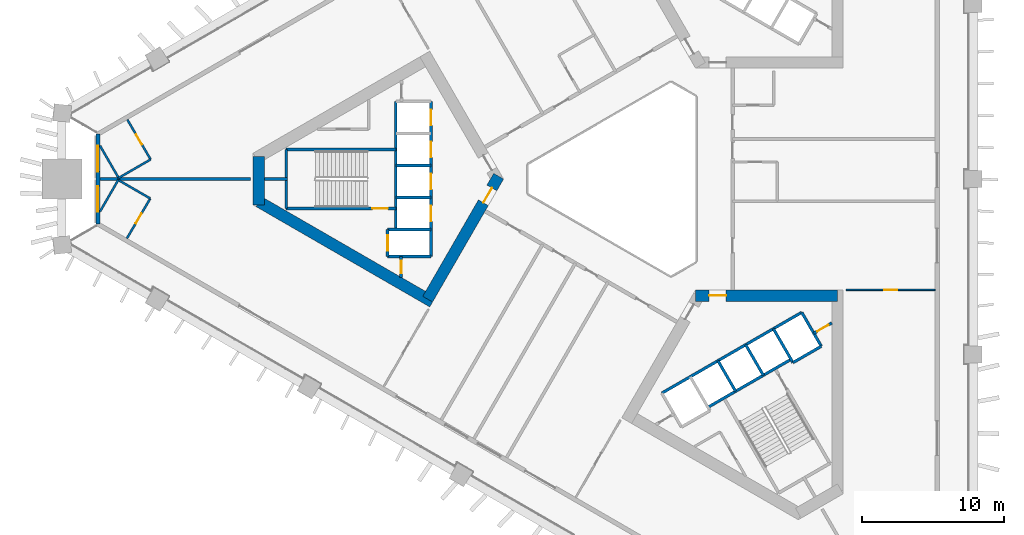
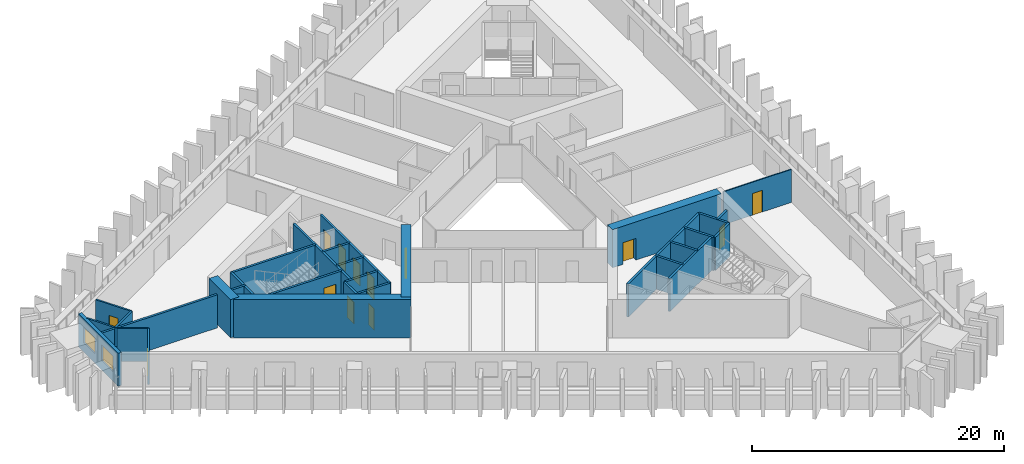
# One storey, part 3 of 10: 33 walls, 13 doors, 2 windows, 15 openings.
"""IFC4 building model written with IfcOpenShell, lengths in metres."""

import ifcopenshell
import ifcopenshell.guid

model = None  # the IFC model being written
_history = None  # IfcOwnerHistory: only IFC2X3 demands one
_inside = {}  # id of a spatial element -> (the spatial element, [elements in it])
_under = {}  # id of a project, library or spatial element -> (it, [spatial elements below it])
_declared = {}  # id of a project -> (the project, [libraries it declares])
_typed = {}  # id of a type object -> (the type object, [elements of that type])
_made_of = {}  # id of a material, layer set ... -> (it, [elements and type objects made of it])


def new_model(schema):
    """Start an empty IFC model of exactly this schema.

    Asked for "IFC4X3", IfcOpenShell would pick the latest addendum, in which some entities
    have other attributes; the version numbers below select the first issue.
    IFC2X3 requires an IfcOwnerHistory on every rooted entity: one is made here for all.
    """
    global model, _history
    if schema == "IFC4X3":
        model = ifcopenshell.file(schema_version=(4, 3, 0, 0))
    else:
        model = ifcopenshell.file(schema=schema)
    _inside.clear()
    _under.clear()
    _declared.clear()
    _typed.clear()
    _made_of.clear()
    _history = None
    if model.schema == "IFC2X3":
        org = make("IfcOrganization", Name="unknown")
        user = make(
            "IfcPersonAndOrganization",
            ThePerson=make("IfcPerson", FamilyName="unknown"),
            TheOrganization=org,
        )
        app = make(
            "IfcApplication",
            ApplicationDeveloper=org,
            Version="unknown",
            ApplicationFullName="unknown",
            ApplicationIdentifier="unknown",
        )
        _history = make(
            "IfcOwnerHistory",
            OwningUser=user,
            OwningApplication=app,
            ChangeAction="ADDED",
            CreationDate=0,
        )
    return model


def make(cls, **values):
    """One entity of the class cls with the attributes given. An attribute that is None is left unset."""
    return model.create_entity(
        cls, **{name: value for name, value in values.items() if value is not None}
    )


def rooted(cls, **values):
    """An entity with a GlobalId (a new one), such as an element, a storey or a relation."""
    return make(cls, GlobalId=ifcopenshell.guid.new(), OwnerHistory=_history, **values)


def si_unit(unit_type, name, prefix=None):
    """IfcSIUnit, for example si_unit("LENGTHUNIT", "METRE", prefix="MILLI")."""
    return make("IfcSIUnit", UnitType=unit_type, Prefix=prefix, Name=name)


def assignment(units):
    """IfcUnitAssignment: the units of a project."""
    return None if units is None else make("IfcUnitAssignment", Units=units)


def point(xyz):
    """IfcCartesianPoint."""
    return None if xyz is None else make("IfcCartesianPoint", Coordinates=xyz)


def direction(xyz):
    """IfcDirection."""
    return None if xyz is None else make("IfcDirection", DirectionRatios=xyz)


def frame(location, z_axis=None, x_axis=None):
    """IfcAxis2Placement3D, a coordinate frame: its origin and axes. An axis left out is left unset."""
    return make(
        "IfcAxis2Placement3D",
        Location=point(location),
        Axis=direction(z_axis),
        RefDirection=direction(x_axis),
    )


def frame_2d(location, x_axis=None):
    """IfcAxis2Placement2D, a coordinate frame in the plane: its origin and x axis."""
    return make(
        "IfcAxis2Placement2D", Location=point(location), RefDirection=direction(x_axis)
    )


def origin():
    """The frame at (0, 0, 0) with its axes left unset."""
    return frame((0.0, 0.0, 0.0))


def place(relative_to, where):
    """IfcLocalPlacement: puts the frame where relative to a parent placement (None: the world)."""
    return make(
        "IfcLocalPlacement", PlacementRelTo=relative_to, RelativePlacement=where
    )


def context(
    kind, dimensions, precision=None, world=None, true_north=None, identifier=None
):
    """IfcGeometricRepresentationContext, for example the 3D "Model" context."""
    return make(
        "IfcGeometricRepresentationContext",
        ContextIdentifier=identifier,
        ContextType=kind,
        CoordinateSpaceDimension=dimensions,
        Precision=precision,
        WorldCoordinateSystem=world,
        TrueNorth=true_north,
    )


def subcontext(parent, identifier, kind, view, scale=None):
    """IfcGeometricRepresentationSubContext, for example "Body" below "Model"."""
    return make(
        "IfcGeometricRepresentationSubContext",
        ContextIdentifier=identifier,
        ContextType=kind,
        ParentContext=parent,
        TargetScale=scale,
        TargetView=view,
    )


def project(units=None, contexts=None):
    """IfcProject with its units and contexts."""
    return rooted(
        "IfcProject",
        Name="project",
        RepresentationContexts=contexts,
        UnitsInContext=assignment(units),
    )


def spatial(cls, under=None, at=None, **own):
    """A site, building, storey or space (cls), placed at a placement, below another one or the project."""
    s = rooted(cls, ObjectPlacement=at, **own)
    if under is not None:
        _under.setdefault(under.id(), (under, []))[1].append(s)
    return s


def profile(cls, at=None, kind="AREA", **sizes):
    """A parametric profile (cls). Its sizes go by their IFC names, for example OverallWidth=200.0."""
    return make(cls, ProfileType=kind, Position=at, **sizes)


def rectangle(**sizes):
    """IfcRectangleProfileDef."""
    return profile("IfcRectangleProfileDef", **sizes)


def extrude(swept, where, along, depth):
    """IfcExtrudedAreaSolid: the profile swept, set in the frame where, extruded along a direction by depth."""
    return make(
        "IfcExtrudedAreaSolid",
        SweptArea=swept,
        Position=where,
        ExtrudedDirection=direction(along),
        Depth=depth,
    )


def shape(context_of_items, identifier, shape_type, items):
    """IfcShapeRepresentation: the items that make up one representation, for example the "Body"."""
    return make(
        "IfcShapeRepresentation",
        ContextOfItems=context_of_items,
        RepresentationIdentifier=identifier,
        RepresentationType=shape_type,
        Items=items,
    )


def material(Name=None, Category=None):
    """IfcMaterial."""
    return make("IfcMaterial", Name=Name, Category=Category)


def layer(
    of_material, thickness, ventilated=None, Name=None, Category=None, Priority=None
):
    """IfcMaterialLayer: one layer of a wall or slab, of a material (None: an air gap)."""
    return make(
        "IfcMaterialLayer",
        Material=of_material,
        LayerThickness=thickness,
        IsVentilated=ventilated,
        Name=Name,
        Category=Category,
        Priority=Priority,
    )


def layer_set(layers, Name=None):
    """IfcMaterialLayerSet."""
    return make("IfcMaterialLayerSet", MaterialLayers=layers, LayerSetName=Name)


def made_of(thing, what):
    """Note that an element or type object is made of a material, layer set ...; save() writes the relation."""
    if what is not None:
        _made_of.setdefault(what.id(), (what, []))[1].append(thing)
    return thing


def type_object(cls, material=None, **own):
    """A type object (cls), such as IfcWallType, which elements share."""
    return made_of(rooted(cls, **own), material)


def element(
    cls,
    number,
    at=None,
    inside=None,
    cuts=None,
    type_object=None,
    material=None,
    context=None,
    identifier="Body",
    shape_type=None,
    held_by="IfcProductDefinitionShape",
    body=None,
    shapes=None,
    **own,
):
    """One element of the class cls, such as IfcWall. Its Tag is "e" and its number.

    at: its placement. inside: the storey or other place that contains it. cuts: it is an
    opening in that element (IfcRelVoidsElement). A single representation is given by context,
    identifier, shape_type and body (its items); several are given by shapes. held_by: the class
    of the entity that holds the representations. save() writes the other relations.
    """
    e = rooted(cls, Tag="e%d" % number, ObjectPlacement=at, **own)
    if body is not None:
        shapes = [shape(context, identifier, shape_type, body)]
    if shapes is not None:
        e.Representation = make(held_by, Representations=shapes)
    if inside is not None:
        _inside.setdefault(inside.id(), (inside, []))[1].append(e)
    if cuts is not None:
        rooted(
            "IfcRelVoidsElement", RelatingBuildingElement=cuts, RelatedOpeningElement=e
        )
    if type_object is not None:
        _typed.setdefault(type_object.id(), (type_object, []))[1].append(e)
    return made_of(e, material)


def fill(opening, filler):
    """IfcRelFillsElement: the door or window that sits in an opening."""
    return rooted(
        "IfcRelFillsElement",
        RelatingOpeningElement=opening,
        RelatedBuildingElement=filler,
    )


def aggregate(whole, parts):
    """IfcRelAggregates: a whole, such as a stair, and the parts it consists of."""
    return rooted("IfcRelAggregates", RelatingObject=whole, RelatedObjects=parts)


def save(model, path):
    """Write the relations noted so far, then the file.

    IfcRelAggregates (storeys below a building ...), IfcRelContainedInSpatialStructure (elements
    in a storey), IfcRelDefinesByType, IfcRelAssociatesMaterial and IfcRelDeclares: one each for
    every whole, place, type object, material and project.
    """
    for whole, parts in _under.values():
        aggregate(whole, parts)
    for where, things in _inside.values():
        rooted(
            "IfcRelContainedInSpatialStructure",
            RelatedElements=things,
            RelatingStructure=where,
        )
    for kind, things in _typed.values():
        rooted("IfcRelDefinesByType", RelatedObjects=things, RelatingType=kind)
    for what, things in _made_of.values():
        rooted("IfcRelAssociatesMaterial", RelatedObjects=things, RelatingMaterial=what)
    for by, libraries in _declared.values():
        rooted("IfcRelDeclares", RelatingContext=by, RelatedDefinitions=libraries)
    model.write(path)


model = new_model("IFC4")

# Units and contexts
model_context = context("Model", 3, precision=1e-05, world=origin(), true_north=direction((0.0, 1.0)))
body_context = subcontext(model_context, "Body", "Model", "MODEL_VIEW")
ifc_project = project(units=[si_unit("LENGTHUNIT", "METRE"), si_unit("AREAUNIT", "SQUARE_METRE"), si_unit("VOLUMEUNIT", "CUBIC_METRE"), si_unit("PLANEANGLEUNIT", "RADIAN"), si_unit("MASSUNIT", "GRAM", prefix="KILO")], contexts=[model_context])

# Site, building, storey
site_placement = place(None, origin())
site = spatial("IfcSite", under=ifc_project, at=site_placement, CompositionType="ELEMENT")
building_placement = place(site_placement, origin())
building = spatial("IfcBuilding", under=site, at=building_placement, Name="Jabali Bay Hotel Tower and Convention Centre", CompositionType="ELEMENT")
storey_placement = place(building_placement, frame((0.0, 0.0, 30.0)))
storey = spatial("IfcBuildingStorey", under=building, at=storey_placement, Name="L05", CompositionType="ELEMENT", Elevation=30.0)

# Wall
ifc_material_1 = material(Name="Concrete C40", Category="concrete")
ifc_layer_1 = layer(ifc_material_1, 0.199951171875)
ifc_layer_set_1 = layer_set([ifc_layer_1], Name="Concrete C40")
wall_type_1 = type_object("IfcWallType", Name="Core partition wall 200", PredefinedType="PARTITIONING", material=ifc_layer_set_1)
wall_1_placement = place(storey_placement, frame((50.820068359375, 80.0, 0.0), z_axis=(0.0, 0.0, 1.0), x_axis=(-1.0, 0.0, 0.0)))
element("IfcWall", 1, at=wall_1_placement, inside=storey, type_object=wall_type_1, Name="Core wall 0.5 L05", PredefinedType="PARTITIONING", context=body_context, shape_type="SweptSolid", body=[
    extrude(rectangle(XDim=1.623046875, YDim=0.199951171875, at=frame_2d((0.8115234375, 0.0))), origin(), (0.0, 0.0, 1.0), 3.199951171875),
])

# Wall, opening, door
wall_2_placement = place(storey_placement, frame((58.800048828125, 74.550048828125, 0.0), z_axis=(0.0, 0.0, 1.0), x_axis=(0.0, -1.0, 0.0)))
wall_2 = element("IfcWall", 2, at=wall_2_placement, inside=storey, type_object=wall_type_1, Name="Core wall 0.12 L05", PredefinedType="PARTITIONING", context=body_context, shape_type="SweptSolid", body=[
    extrude(rectangle(XDim=1.455078125, YDim=0.199951171875, at=frame_2d((0.7275390625, 0.0))), origin(), (0.0, 0.0, 1.0), 3.199951171875),
])
opening_1_placement = place(wall_2_placement, frame((0.277587890625, 0.0, 0.0)))
opening_1 = element("IfcOpeningElement", 3, at=opening_1_placement, cuts=wall_2, Name="Opening D200", PredefinedType="OPENING", context=body_context, shape_type="SweptSolid", body=[
    extrude(rectangle(XDim=0.89990234375, YDim=2.10009765625, at=frame_2d((0.449951171875, 1.050048828125))), frame((0.0, 0.1103515625, 0.0), z_axis=(0.0, -1.0, 0.0), x_axis=(1.0, 0.0, 0.0)), (0.0, 0.0, 1.0), 0.220947265625),
])
ifc_material_2 = material(Name="Fire-rated steel door", Category="steel")
door_type_1 = type_object("IfcDoorType", Name="Vestibule fire door 900 x 2100", OperationType="NOTDEFINED", PredefinedType="NOTDEFINED", material=ifc_material_2)
door_1_placement = place(opening_1_placement, origin())
door_1 = element("IfcDoor", 4, at=door_1_placement, inside=storey, type_object=door_type_1, Name="Vestibule fire door D200", OperationType="SINGLE_SWING_LEFT", OverallHeight=2.10009765625, OverallWidth=0.89990234375, PredefinedType="NOTDEFINED", context=body_context, shape_type="SweptSolid", body=[
    extrude(rectangle(XDim=0.89990234375, YDim=2.10009765625, at=frame_2d((0.449951171875, 1.050048828125))), frame((0.0, 0.02490234375, 0.0), z_axis=(0.0, -1.0, 0.0), x_axis=(1.0, 0.0, 0.0)), (0.0, 0.0, 1.0), 0.050048828125),
])
fill(opening_1, door_1)

wall_3_placement = place(storey_placement, frame((87.814697265625, 69.154296875, 0.0), z_axis=(0.0, 0.0, 1.0), x_axis=(0.866054810376, 0.49994906283, 0.0)))
wall_3 = element("IfcWall", 5, at=wall_3_placement, inside=storey, type_object=wall_type_1, Name="Core wall 2.12 L05", PredefinedType="PARTITIONING", context=body_context, shape_type="SweptSolid", body=[
    extrude(rectangle(XDim=1.461181640625, YDim=0.199951171875, at=frame_2d((0.73046875, 0.0))), origin(), (0.0, 0.0, 1.0), 3.199951171875),
])
opening_2_placement = place(wall_3_placement, frame((0.280517578125, 0.0, 0.0)))
opening_2 = element("IfcOpeningElement", 6, at=opening_2_placement, cuts=wall_3, Name="Opening D212", PredefinedType="OPENING", context=body_context, shape_type="SweptSolid", body=[
    extrude(rectangle(XDim=0.89990234375, YDim=2.10009765625, at=frame_2d((0.449951171875, 1.050048828125))), frame((0.0, 0.1103515625, 0.0), z_axis=(0.0, -1.0, 0.0), x_axis=(1.0, 0.0, 0.0)), (0.0, 0.0, 1.0), 0.220947265625),
])
door_2_placement = place(opening_2_placement, origin())
door_2 = element("IfcDoor", 7, at=door_2_placement, inside=storey, type_object=door_type_1, Name="Vestibule fire door D212", OperationType="SINGLE_SWING_LEFT", OverallHeight=2.10009765625, OverallWidth=0.89990234375, PredefinedType="NOTDEFINED", context=body_context, shape_type="SweptSolid", body=[
    extrude(rectangle(XDim=0.89990234375, YDim=2.10009765625, at=frame_2d((0.449951171875, 1.050048828125))), frame((0.0, 0.02490234375, 0.0), z_axis=(0.0, -1.0, 0.0), x_axis=(1.0, 0.0, 0.0)), (0.0, 0.0, 1.0), 0.050048828125),
])
fill(opening_2, door_2)

# Walls
ifc_layer_2 = layer(ifc_material_1, 0.199951171875)
ifc_layer_set_2 = layer_set([ifc_layer_2], Name="Concrete C40")
wall_type_2 = type_object("IfcWallType", Name="Core stair wall 200", PredefinedType="SOLIDWALL", material=ifc_layer_set_2)
wall_4_placement = place(storey_placement, frame((58.419921875, 82.074951171875, 0.0), z_axis=(0.0, 0.0, 1.0), x_axis=(-1.0, 0.0, 0.0)))
element("IfcWall", 8, at=wall_4_placement, inside=storey, type_object=wall_type_2, Name="Core wall 0.3 L05", PredefinedType="SOLIDWALL", context=body_context, shape_type="SweptSolid", body=[
    extrude(rectangle(XDim=7.699951171875, YDim=0.199951171875, at=frame_2d((3.85009765625, 0.0))), origin(), (0.0, 0.0, 1.0), 3.199951171875),
])
for number, where, z_axis, x_axis, name in (
    (9, (60.89990234375, 80.949951171875, 0.0), (0.0, 0.0, 1.0), (-1.0, 0.0, 0.0), "Core wall 0.4 L05"),
    (10, (60.89990234375, 78.699951171875, 0.0), (0.0, 0.0, 1.0), (-1.0, 0.0, 0.0), "Core wall 0.6 L05"),
):
    element("IfcWall", number, at=place(storey_placement, frame(where, z_axis=z_axis, x_axis=x_axis)), inside=storey, type_object=wall_type_2, Name=name, PredefinedType="SOLIDWALL", context=body_context, shape_type="SweptSolid", body=[
        extrude(rectangle(XDim=2.47998046875, YDim=0.199951171875, at=frame_2d((1.239990234375, 0.0))), origin(), (0.0, 0.0, 1.0), 3.199951171875),
    ])

# Wall, opening, door
wall_5_placement = place(storey_placement, frame((58.419921875, 77.925048828125, 0.0), z_axis=(0.0, 0.0, 1.0), x_axis=(-1.0, 0.0, 0.0)))
wall_5 = element("IfcWall", 11, at=wall_5_placement, inside=storey, type_object=wall_type_2, Name="Core wall 0.7 L05", PredefinedType="SOLIDWALL", context=body_context, shape_type="SweptSolid", body=[
    extrude(rectangle(XDim=7.699951171875, YDim=0.199951171875, at=frame_2d((3.85009765625, 0.0))), origin(), (0.0, 0.0, 1.0), 3.199951171875),
])
opening_3_placement = place(wall_5_placement, frame((0.550048828125, 0.0, 0.0)))
opening_3 = element("IfcOpeningElement", 12, at=opening_3_placement, cuts=wall_5, Name="Opening D202", PredefinedType="OPENING", context=body_context, shape_type="SweptSolid", body=[
    extrude(rectangle(XDim=1.10009765625, YDim=2.10009765625, at=frame_2d((0.550048828125, 1.050048828125))), frame((0.0, 0.1103515625, 0.0), z_axis=(0.0, -1.0, 0.0), x_axis=(1.0, 0.0, 0.0)), (0.0, 0.0, 1.0), 0.220947265625),
])
door_type_2 = type_object("IfcDoorType", Name="Stair fire door 1100 x 2100", OperationType="NOTDEFINED", PredefinedType="NOTDEFINED", material=ifc_material_2)
door_3_placement = place(opening_3_placement, origin())
door_3 = element("IfcDoor", 13, at=door_3_placement, inside=storey, type_object=door_type_2, Name="Stair fire door D202", OperationType="SINGLE_SWING_RIGHT", OverallHeight=2.10009765625, OverallWidth=1.10009765625, PredefinedType="NOTDEFINED", context=body_context, shape_type="SweptSolid", body=[
    extrude(rectangle(XDim=1.10009765625, YDim=2.10009765625, at=frame_2d((0.550048828125, 1.050048828125))), frame((0.0, 0.02490234375, 0.0), z_axis=(0.0, -1.0, 0.0), x_axis=(1.0, 0.0, 0.0)), (0.0, 0.0, 1.0), 0.050048828125),
])
fill(opening_3, door_3)

# Walls
for number, where, z_axis, x_axis, name in (
    (14, (60.89990234375, 76.449951171875, 0.0), (0.0, 0.0, 1.0), (-1.0, 0.0, 0.0), "Core wall 0.8 L05"),
    (15, (60.89990234375, 74.550048828125, 0.0), (0.0, 0.0, 1.0), (-1.0, 0.0, 0.0), "Core wall 0.9 L05"),
):
    element("IfcWall", number, at=place(storey_placement, frame(where, z_axis=z_axis, x_axis=x_axis)), inside=storey, type_object=wall_type_2, Name=name, PredefinedType="SOLIDWALL", context=body_context, shape_type="SweptSolid", body=[
        extrude(rectangle(XDim=3.0498046875, YDim=0.199951171875, at=frame_2d((1.52490234375, 0.0))), origin(), (0.0, 0.0, 1.0), 3.199951171875),
    ])

# Wall, openings, doors
wall_6_placement = place(storey_placement, frame((60.89990234375, 85.449951171875, 0.0), z_axis=(0.0, 0.0, 1.0), x_axis=(0.0, -1.0, 0.0)))
wall_6 = element("IfcWall", 16, at=wall_6_placement, inside=storey, type_object=wall_type_2, Name="Core wall 0.10 L05", PredefinedType="SOLIDWALL", context=body_context, shape_type="SweptSolid", body=[
    extrude(rectangle(XDim=10.89990234375, YDim=0.199951171875, at=frame_2d((5.449951171875, 0.0))), origin(), (0.0, 0.0, 1.0), 3.199951171875),
])
opening_4_placement = place(wall_6_placement, frame((0.574951171875, 0.0, 0.0)))
opening_4 = element("IfcOpeningElement", 17, at=opening_4_placement, cuts=wall_6, Name="Opening LD1-L05", PredefinedType="OPENING", context=body_context, shape_type="SweptSolid", body=[
    extrude(rectangle(XDim=1.10009765625, YDim=2.10009765625, at=frame_2d((0.550048828125, 1.050048828125))), frame((0.0, 0.1103515625, 0.0), z_axis=(0.0, -1.0, 0.0), x_axis=(1.0, 0.0, 0.0)), (0.0, 0.0, 1.0), 0.220947265625),
])
opening_5_placement = place(wall_6_placement, frame((2.824951171875, 0.0, 0.0)))
opening_5 = element("IfcOpeningElement", 18, at=opening_5_placement, cuts=wall_6, Name="Opening LD2-L05", PredefinedType="OPENING", context=body_context, shape_type="SweptSolid", body=[
    extrude(rectangle(XDim=1.10009765625, YDim=2.10009765625, at=frame_2d((0.550048828125, 1.050048828125))), frame((0.0, 0.1103515625, 0.0), z_axis=(0.0, -1.0, 0.0), x_axis=(1.0, 0.0, 0.0)), (0.0, 0.0, 1.0), 0.220947265625),
])
opening_6_placement = place(wall_6_placement, frame((5.074951171875, 0.0, 0.0)))
opening_6 = element("IfcOpeningElement", 19, at=opening_6_placement, cuts=wall_6, Name="Opening LD3-L05", PredefinedType="OPENING", context=body_context, shape_type="SweptSolid", body=[
    extrude(rectangle(XDim=1.10009765625, YDim=2.10009765625, at=frame_2d((0.550048828125, 1.050048828125))), frame((0.0, 0.1103515625, 0.0), z_axis=(0.0, -1.0, 0.0), x_axis=(1.0, 0.0, 0.0)), (0.0, 0.0, 1.0), 0.220947265625),
])
opening_7_placement = place(wall_6_placement, frame((7.324951171875, 0.0, 0.0)))
opening_7 = element("IfcOpeningElement", 20, at=opening_7_placement, cuts=wall_6, Name="Opening LD4-L05", PredefinedType="OPENING", context=body_context, shape_type="SweptSolid", body=[
    extrude(rectangle(XDim=1.10009765625, YDim=2.10009765625, at=frame_2d((0.550048828125, 1.050048828125))), frame((0.0, 0.1103515625, 0.0), z_axis=(0.0, -1.0, 0.0), x_axis=(1.0, 0.0, 0.0)), (0.0, 0.0, 1.0), 0.220947265625),
])
ifc_material_3 = material(Name="Stainless steel landing door", Category="steel")
door_type_3 = type_object("IfcDoorType", Name="Landing door 1100 x 2100", OperationType="NOTDEFINED", PredefinedType="NOTDEFINED", material=ifc_material_3)
door_4_placement = place(opening_4_placement, origin())
door_4 = element("IfcDoor", 21, at=door_4_placement, inside=storey, type_object=door_type_3, Name="Landing doors LD1-L05", OperationType="SLIDING_TO_RIGHT", OverallHeight=2.10009765625, OverallWidth=1.10009765625, PredefinedType="NOTDEFINED", context=body_context, shape_type="SweptSolid", body=[
    extrude(rectangle(XDim=1.10009765625, YDim=2.10009765625, at=frame_2d((0.550048828125, 1.050048828125))), frame((0.0, 0.02490234375, 0.0), z_axis=(0.0, -1.0, 0.0), x_axis=(1.0, 0.0, 0.0)), (0.0, 0.0, 1.0), 0.050048828125),
])
fill(opening_4, door_4)
door_5_placement = place(opening_5_placement, origin())
door_5 = element("IfcDoor", 22, at=door_5_placement, inside=storey, type_object=door_type_3, Name="Landing doors LD2-L05", OperationType="SLIDING_TO_LEFT", OverallHeight=2.10009765625, OverallWidth=1.10009765625, PredefinedType="NOTDEFINED", context=body_context, shape_type="SweptSolid", body=[
    extrude(rectangle(XDim=1.10009765625, YDim=2.10009765625, at=frame_2d((0.550048828125, 1.050048828125))), frame((0.0, 0.02490234375, 0.0), z_axis=(0.0, -1.0, 0.0), x_axis=(1.0, 0.0, 0.0)), (0.0, 0.0, 1.0), 0.050048828125),
])
fill(opening_5, door_5)
door_6_placement = place(opening_6_placement, origin())
door_6 = element("IfcDoor", 23, at=door_6_placement, inside=storey, type_object=door_type_3, Name="Landing doors LD3-L05", OperationType="SLIDING_TO_RIGHT", OverallHeight=2.10009765625, OverallWidth=1.10009765625, PredefinedType="NOTDEFINED", context=body_context, shape_type="SweptSolid", body=[
    extrude(rectangle(XDim=1.10009765625, YDim=2.10009765625, at=frame_2d((0.550048828125, 1.050048828125))), frame((0.0, 0.02490234375, 0.0), z_axis=(0.0, -1.0, 0.0), x_axis=(1.0, 0.0, 0.0)), (0.0, 0.0, 1.0), 0.050048828125),
])
fill(opening_6, door_6)
door_7_placement = place(opening_7_placement, origin())
door_7 = element("IfcDoor", 24, at=door_7_placement, inside=storey, type_object=door_type_3, Name="Landing doors LD4-L05", OperationType="SLIDING_TO_LEFT", OverallHeight=2.10009765625, OverallWidth=1.10009765625, PredefinedType="NOTDEFINED", context=body_context, shape_type="SweptSolid", body=[
    extrude(rectangle(XDim=1.10009765625, YDim=2.10009765625, at=frame_2d((0.550048828125, 1.050048828125))), frame((0.0, 0.02490234375, 0.0), z_axis=(0.0, -1.0, 0.0), x_axis=(1.0, 0.0, 0.0)), (0.0, 0.0, 1.0), 0.050048828125),
])
fill(opening_7, door_7)

# Wall
wall_7_placement = place(storey_placement, frame((58.419921875, 85.449951171875, 0.0), z_axis=(0.0, 0.0, 1.0), x_axis=(0.0, -1.0, 0.0)))
element("IfcWall", 25, at=wall_7_placement, inside=storey, type_object=wall_type_2, Name="Core wall 0.13 L05", PredefinedType="SOLIDWALL", context=body_context, shape_type="SweptSolid", body=[
    extrude(rectangle(XDim=9.0, YDim=0.199951171875, at=frame_2d((4.5, 0.0))), origin(), (0.0, 0.0, 1.0), 3.199951171875),
])

# Wall, opening, door
wall_8_placement = place(storey_placement, frame((57.85009765625, 76.449951171875, 0.0), z_axis=(0.0, 0.0, 1.0), x_axis=(0.0, -1.0, 0.0)))
wall_8 = element("IfcWall", 26, at=wall_8_placement, inside=storey, type_object=wall_type_2, Name="Core wall 0.14 L05", PredefinedType="SOLIDWALL", context=body_context, shape_type="SweptSolid", body=[
    extrude(rectangle(XDim=1.89990234375, YDim=0.199951171875, at=frame_2d((0.949951171875, 0.0))), origin(), (0.0, 0.0, 1.0), 3.199951171875),
])
opening_8_placement = place(wall_8_placement, frame((0.39990234375, 0.0, 0.0)))
opening_8 = element("IfcOpeningElement", 27, at=opening_8_placement, cuts=wall_8, Name="Opening LD5-L05", PredefinedType="OPENING", context=body_context, shape_type="SweptSolid", body=[
    extrude(rectangle(XDim=1.10009765625, YDim=2.10009765625, at=frame_2d((0.550048828125, 1.050048828125))), frame((0.0, 0.1103515625, 0.0), z_axis=(0.0, -1.0, 0.0), x_axis=(1.0, 0.0, 0.0)), (0.0, 0.0, 1.0), 0.220947265625),
])
door_8_placement = place(opening_8_placement, origin())
door_8 = element("IfcDoor", 28, at=door_8_placement, inside=storey, type_object=door_type_3, Name="Landing doors LD5-L05", OperationType="SLIDING_TO_RIGHT", OverallHeight=2.10009765625, OverallWidth=1.10009765625, PredefinedType="NOTDEFINED", context=body_context, shape_type="SweptSolid", body=[
    extrude(rectangle(XDim=1.10009765625, YDim=2.10009765625, at=frame_2d((0.550048828125, 1.050048828125))), frame((0.0, 0.02490234375, 0.0), z_axis=(0.0, -1.0, 0.0), x_axis=(1.0, 0.0, 0.0)), (0.0, 0.0, 1.0), 0.050048828125),
])
fill(opening_8, door_8)

# Walls
wall_9_placement = place(storey_placement, frame((50.719970703125, 82.074951171875, 0.0), z_axis=(0.0, 0.0, 1.0), x_axis=(0.0, -1.0, 0.0)))
element("IfcWall", 29, at=wall_9_placement, inside=storey, type_object=wall_type_2, Name="Core wall 0.16 L05", PredefinedType="SOLIDWALL", context=body_context, shape_type="SweptSolid", body=[
    extrude(rectangle(XDim=4.14990234375, YDim=0.199951171875, at=frame_2d((2.074951171875, 0.0))), origin(), (0.0, 0.0, 1.0), 3.199951171875),
])
for number, where, z_axis, x_axis, name in (
    (30, (81.07568359375, 67.2265625, 0.0), (0.0, 0.0, 1.0), (0.50000366821, -0.866023285932, 0.0), "Core wall 2.4 L05"),
    (31, (83.024169921875, 68.3515625, 0.0), (0.0, 0.0, 1.0), (0.50000366821, -0.866023285932, 0.0), "Core wall 2.6 L05"),
):
    element("IfcWall", number, at=place(storey_placement, frame(where, z_axis=z_axis, x_axis=x_axis)), inside=storey, type_object=wall_type_2, Name=name, PredefinedType="SOLIDWALL", context=body_context, shape_type="SweptSolid", body=[
        extrude(rectangle(XDim=2.47998046875, YDim=0.199951171875, at=frame_2d((1.239990234375, 0.0))), origin(), (0.0, 0.0, 1.0), 3.199951171875),
    ])
for number, where, z_axis, x_axis, name in (
    (32, (84.972900390625, 69.4765625, 0.0), (0.0, 0.0, 1.0), (0.499996545922, -0.866027397988, 0.0), "Core wall 2.8 L05"),
    (33, (86.964599609375, 70.62646484375, 0.0), (0.0, 0.0, 1.0), (0.499996545922, -0.866027397988, 0.0), "Core wall 2.9 L05"),
):
    element("IfcWall", number, at=place(storey_placement, frame(where, z_axis=z_axis, x_axis=x_axis)), inside=storey, type_object=wall_type_2, Name=name, PredefinedType="SOLIDWALL", context=body_context, shape_type="SweptSolid", body=[
        extrude(rectangle(XDim=2.75, YDim=0.199951171875, at=frame_2d((1.375, 0.0))), origin(), (0.0, 0.0, 1.0), 3.199951171875),
    ])
wall_10_placement = place(storey_placement, frame((77.13525390625, 64.95166015625, 0.0), z_axis=(0.0, 0.0, 1.0), x_axis=(0.866031916153, 0.499988720078, 0.0)))
element("IfcWall", 34, at=wall_10_placement, inside=storey, type_object=wall_type_2, Name="Core wall 2.10 L05", PredefinedType="SOLIDWALL", context=body_context, shape_type="SweptSolid", body=[
    extrude(rectangle(XDim=11.349853515625, YDim=0.199951171875, at=frame_2d((5.6748046875, 0.0))), origin(), (0.0, 0.0, 1.0), 3.199951171875),
])
wall_11_placement = place(storey_placement, frame((80.3671875, 63.953857421875, 0.0), z_axis=(0.0, 0.0, 1.0), x_axis=(0.866026575979, 0.499997969693, 0.0)))
element("IfcWall", 35, at=wall_11_placement, inside=storey, type_object=wall_type_2, Name="Core wall 2.13 L05", PredefinedType="SOLIDWALL", context=body_context, shape_type="SweptSolid", body=[
    extrude(rectangle(XDim=6.75, YDim=0.199951171875, at=frame_2d((3.375, 0.0))), origin(), (0.0, 0.0, 1.0), 3.199951171875),
])
wall_12_placement = place(storey_placement, frame((86.347900390625, 67.094970703125, 0.0), z_axis=(0.0, 0.0, 1.0), x_axis=(0.86602648383, 0.499998129301, 0.0)))
element("IfcWall", 36, at=wall_12_placement, inside=storey, type_object=wall_type_2, Name="Core wall 2.15 L05", PredefinedType="SOLIDWALL", context=body_context, shape_type="SweptSolid", body=[
    extrude(rectangle(XDim=2.2998046875, YDim=0.199951171875, at=frame_2d((1.14990234375, 0.0))), origin(), (0.0, 0.0, 1.0), 3.199951171875),
])
ifc_material_4 = material(Name="Concrete C60", Category="concrete")
ifc_layer_3 = layer(ifc_material_4, 0.800048828125)
ifc_layer_set_3 = layer_set([ifc_layer_3], Name="Concrete C60")
wall_type_3 = type_object("IfcWallType", Name="Core wall 800", PredefinedType="SHEAR", material=ifc_layer_set_3)
wall_13_placement = place(storey_placement, frame((48.796875, 81.591796875, 0.0), z_axis=(0.0, 0.0, 1.0), x_axis=(0.0, -1.0, 0.0)))
element("IfcWall", 37, at=wall_13_placement, inside=storey, type_object=wall_type_3, Name="Core wall 1.3 L05", PredefinedType="SHEAR", context=body_context, shape_type="SweptSolid", body=[
    extrude(rectangle(XDim=3.41455078125, YDim=0.800048828125, at=frame_2d((1.707275390625, 0.0))), origin(), (0.0, 0.0, 1.0), 3.699951171875),
])
wall_14_placement = place(storey_placement, frame((48.796875, 78.408203125, 0.0), z_axis=(0.0, 0.0, 1.0), x_axis=(0.866032504327, -0.499987701298, 0.0)))
element("IfcWall", 38, at=wall_14_placement, inside=storey, type_object=wall_type_3, Name="Core wall 1.4 L05", PredefinedType="SHEAR", context=body_context, shape_type="SweptSolid", body=[
    extrude(rectangle(XDim=14.102294921875, YDim=0.800048828125, at=frame_2d((7.05126953125, 0.0))), origin(), (0.0, 0.0, 1.0), 3.699951171875),
])

# Wall, opening, door
wall_15_placement = place(storey_placement, frame((60.66357421875, 71.55712890625, 0.0), z_axis=(0.0, 0.0, 1.0), x_axis=(0.50000409368, 0.866023040284, 0.0)))
wall_15 = element("IfcWall", 39, at=wall_15_placement, inside=storey, type_object=wall_type_3, Name="Core wall 1.5 L05", PredefinedType="SHEAR", context=body_context, shape_type="SweptSolid", body=[
    extrude(rectangle(XDim=9.97998046875, YDim=0.800048828125, at=frame_2d((4.989990234375, 0.0))), origin(), (0.0, 0.0, 1.0), 3.699951171875),
])
opening_9_placement = place(wall_15_placement, frame((7.830078125, 0.0, 0.0)))
opening_9 = element("IfcOpeningElement", 40, at=opening_9_placement, cuts=wall_15, Name="Opening D199", PredefinedType="OPENING", context=body_context, shape_type="SweptSolid", body=[
    extrude(rectangle(XDim=1.199951171875, YDim=2.10009765625, at=frame_2d((0.60009765625, 1.050048828125))), frame((0.0, 0.41064453125, 0.0), z_axis=(0.0, -1.0, 0.0), x_axis=(1.0, 0.0, 0.0)), (0.0, 0.0, 1.0), 0.821044921875),
])
door_type_4 = type_object("IfcDoorType", Name="Corridor end fire door 1200 x 2100", OperationType="NOTDEFINED", PredefinedType="NOTDEFINED", material=ifc_material_2)
door_9_placement = place(opening_9_placement, origin())
door_9 = element("IfcDoor", 41, at=door_9_placement, inside=storey, type_object=door_type_4, Name="Corridor end fire door D199", OperationType="SINGLE_SWING_LEFT", OverallHeight=2.10009765625, OverallWidth=1.199951171875, PredefinedType="NOTDEFINED", context=body_context, shape_type="SweptSolid", body=[
    extrude(rectangle(XDim=1.199951171875, YDim=2.10009765625, at=frame_2d((0.60009765625, 1.050048828125))), frame((0.0, 0.02490234375, 0.0), z_axis=(0.0, -1.0, 0.0), x_axis=(1.0, 0.0, 0.0)), (0.0, 0.0, 1.0), 0.050048828125),
])
fill(opening_9, door_9)

wall_16_placement = place(storey_placement, frame((89.47998046875, 71.8056640625, 0.0), z_axis=(0.0, 0.0, 1.0), x_axis=(-1.0, 0.0, 0.0)))
wall_16 = element("IfcWall", 42, at=wall_16_placement, inside=storey, type_object=wall_type_3, Name="Core wall 3.5 L05", PredefinedType="SHEAR", context=body_context, shape_type="SweptSolid", body=[
    extrude(rectangle(XDim=9.97998046875, YDim=0.800048828125, at=frame_2d((4.989990234375, 0.0))), origin(), (0.0, 0.0, 1.0), 3.699951171875),
])
opening_10_placement = place(wall_16_placement, frame((7.830078125, 0.0, 0.0)))
opening_10 = element("IfcOpeningElement", 43, at=opening_10_placement, cuts=wall_16, Name="Opening D211", PredefinedType="OPENING", context=body_context, shape_type="SweptSolid", body=[
    extrude(rectangle(XDim=1.199951171875, YDim=2.10009765625, at=frame_2d((0.60009765625, 1.050048828125))), frame((0.0, 0.41064453125, 0.0), z_axis=(0.0, -1.0, 0.0), x_axis=(1.0, 0.0, 0.0)), (0.0, 0.0, 1.0), 0.821044921875),
])
door_10_placement = place(opening_10_placement, origin())
door_10 = element("IfcDoor", 44, at=door_10_placement, inside=storey, type_object=door_type_4, Name="Corridor end fire door D211", OperationType="SINGLE_SWING_LEFT", OverallHeight=2.10009765625, OverallWidth=1.199951171875, PredefinedType="NOTDEFINED", context=body_context, shape_type="SweptSolid", body=[
    extrude(rectangle(XDim=1.199951171875, YDim=2.10009765625, at=frame_2d((0.60009765625, 1.050048828125))), frame((0.0, 0.02490234375, 0.0), z_axis=(0.0, -1.0, 0.0), x_axis=(1.0, 0.0, 0.0)), (0.0, 0.0, 1.0), 0.050048828125),
])
fill(opening_10, door_10)

# Wall, openings, windows
ifc_layer_4 = layer(ifc_material_1, 0.300048828125)
ifc_layer_set_4 = layer_set([ifc_layer_4], Name="Concrete C40")
wall_type_4 = type_object("IfcWallType", Name="External wall 300", PredefinedType="SOLIDWALL", material=ifc_layer_set_4)
wall_17_placement = place(storey_placement, frame((37.479248046875, 76.836669921875, 0.0), z_axis=(0.0, 0.0, 1.0), x_axis=(0.0, 1.0, 0.0)))
wall_17 = element("IfcWall", 45, at=wall_17_placement, inside=storey, type_object=wall_type_4, Name="External wall west chamfer L05", PredefinedType="SOLIDWALL", context=body_context, shape_type="SweptSolid", body=[
    extrude(rectangle(XDim=6.32666015625, YDim=0.300048828125, at=frame_2d((3.163330078125, 0.0))), origin(), (0.0, 0.0, 1.0), 3.199951171875),
])
opening_11_placement = place(wall_17_placement, frame((3.69384765625, 0.0, 0.89990234375)))
opening_11 = element("IfcOpeningElement", 46, at=opening_11_placement, cuts=wall_17, Name="Opening W1", PredefinedType="OPENING", context=body_context, shape_type="SweptSolid", body=[
    extrude(rectangle(XDim=1.800048828125, YDim=1.5, at=frame_2d((0.89990234375, 0.75))), frame((0.0, 0.16064453125, 0.0), z_axis=(0.0, -1.0, 0.0), x_axis=(1.0, 0.0, 0.0)), (0.0, 0.0, 1.0), 0.321044921875),
])
opening_12_placement = place(wall_17_placement, frame((0.86279296875, 0.0, 0.89990234375)))
opening_12 = element("IfcOpeningElement", 47, at=opening_12_placement, cuts=wall_17, Name="Opening W1", PredefinedType="OPENING", context=body_context, shape_type="SweptSolid", body=[
    extrude(rectangle(XDim=1.800048828125, YDim=1.5, at=frame_2d((0.89990234375, 0.75))), frame((0.0, 0.16064453125, 0.0), z_axis=(0.0, -1.0, 0.0), x_axis=(1.0, 0.0, 0.0)), (0.0, 0.0, 1.0), 0.321044921875),
])
ifc_material_5 = material(Name="Glass", Category="glass")
window_type = type_object("IfcWindowType", Name="Window 1800 x 1500", PartitioningType="SINGLE_PANEL", PredefinedType="WINDOW", material=ifc_material_5)
window_1_placement = place(opening_11_placement, origin())
window_1 = element("IfcWindow", 48, at=window_1_placement, inside=storey, type_object=window_type, Name="Window 506", OverallHeight=1.5, OverallWidth=1.800048828125, PartitioningType="SINGLE_PANEL", PredefinedType="WINDOW", context=body_context, shape_type="SweptSolid", body=[
    extrude(rectangle(XDim=1.800048828125, YDim=1.5, at=frame_2d((0.89990234375, 0.75))), frame((0.0, 0.030029296875, 0.0), z_axis=(0.0, -1.0, 0.0), x_axis=(1.0, 0.0, 0.0)), (0.0, 0.0, 1.0), 0.06005859375),
])
fill(opening_11, window_1)
window_2_placement = place(opening_12_placement, origin())
window_2 = element("IfcWindow", 49, at=window_2_placement, inside=storey, type_object=window_type, Name="Window 507", OverallHeight=1.5, OverallWidth=1.800048828125, PartitioningType="SINGLE_PANEL", PredefinedType="WINDOW", context=body_context, shape_type="SweptSolid", body=[
    extrude(rectangle(XDim=1.800048828125, YDim=1.5, at=frame_2d((0.89990234375, 0.75))), frame((0.0, 0.030029296875, 0.0), z_axis=(0.0, -1.0, 0.0), x_axis=(1.0, 0.0, 0.0)), (0.0, 0.0, 1.0), 0.06005859375),
])
fill(opening_12, window_2)

# Wall, opening, door
ifc_material_6 = material(Name="Plasterboard on steel stud", Category="steel")
ifc_layer_5 = layer(ifc_material_6, 0.10009765625)
ifc_layer_set_5 = layer_set([ifc_layer_5], Name="Plasterboard on steel stud")
wall_type_5 = type_object("IfcWallType", Name="Partition 100 unit", PredefinedType="PARTITIONING", material=ifc_layer_set_5)
wall_18_placement = place(storey_placement, frame((90.0791015625, 72.205810546875, 0.0), z_axis=(0.0, 0.0, 1.0), x_axis=(1.0, 0.0, 0.0)))
wall_18 = element("IfcWall", 50, at=wall_18_placement, inside=storey, type_object=wall_type_5, Name="Partition P02 L05 001", PredefinedType="PARTITIONING", context=body_context, shape_type="SweptSolid", body=[
    extrude(rectangle(XDim=6.27197265625, YDim=0.10009765625, at=frame_2d((3.135986328125, 0.0))), origin(), (0.0, 0.0, 1.0), 3.199951171875),
])
opening_13_placement = place(wall_18_placement, frame((2.68603515625, 0.0, 0.0)))
opening_13 = element("IfcOpeningElement", 51, at=opening_13_placement, cuts=wall_18, Name="Opening 0502", PredefinedType="OPENING", context=body_context, shape_type="SweptSolid", body=[
    extrude(rectangle(XDim=0.89990234375, YDim=2.10009765625, at=frame_2d((0.449951171875, 1.050048828125))), frame((0.0, 0.060546875, 0.0), z_axis=(0.0, -1.0, 0.0), x_axis=(1.0, 0.0, 0.0)), (0.0, 0.0, 1.0), 0.12109375),
])
ifc_material_7 = material(Name="Timber", Category="wood")
door_type_5 = type_object("IfcDoorType", Name="Internal door 900 x 2100", OperationType="NOTDEFINED", PredefinedType="NOTDEFINED", material=ifc_material_7)
door_11_placement = place(opening_13_placement, origin())
door_11 = element("IfcDoor", 52, at=door_11_placement, inside=storey, type_object=door_type_5, Name="Door 0502", OperationType="SINGLE_SWING_LEFT", OverallHeight=2.10009765625, OverallWidth=0.89990234375, PredefinedType="NOTDEFINED", context=body_context, shape_type="SweptSolid", body=[
    extrude(rectangle(XDim=0.89990234375, YDim=2.10009765625, at=frame_2d((0.449951171875, 1.050048828125))), frame((0.0, 0.02490234375, 0.0), z_axis=(0.0, -1.0, 0.0), x_axis=(1.0, 0.0, 0.0)), (0.0, 0.0, 1.0), 0.050048828125),
])
fill(opening_13, door_11)

ifc_layer_6 = layer(ifc_material_6, 0.14990234375)
ifc_layer_set_6 = layer_set([ifc_layer_6], Name="Plasterboard on steel stud")
wall_type_6 = type_object("IfcWallType", Name="Partition 150 wet", PredefinedType="PARTITIONING", material=ifc_layer_set_6)
wall_19_placement = place(storey_placement, frame((39.544677734375, 84.183837890625, 0.0), z_axis=(0.0, 0.0, 1.0), x_axis=(0.505061816174, -0.863083172031, 0.0)))
wall_19 = element("IfcWall", 53, at=wall_19_placement, inside=storey, type_object=wall_type_6, Name="Partition P03 L05 023", PredefinedType="PARTITIONING", context=body_context, shape_type="SweptSolid", body=[
    extrude(rectangle(XDim=3.249267578125, YDim=0.14990234375, at=frame_2d((1.62451171875, 0.0))), origin(), (0.0, 0.0, 1.0), 3.199951171875),
])
opening_14_placement = place(wall_19_placement, frame((1.22509765625, 0.0, 0.0)))
opening_14 = element("IfcOpeningElement", 54, at=opening_14_placement, cuts=wall_19, Name="Opening 0515", PredefinedType="OPENING", context=body_context, shape_type="SweptSolid", body=[
    extrude(rectangle(XDim=0.800048828125, YDim=2.10009765625, at=frame_2d((0.39990234375, 1.050048828125))), frame((0.0, 0.08544921875, 0.0), z_axis=(0.0, -1.0, 0.0), x_axis=(1.0, 0.0, 0.0)), (0.0, 0.0, 1.0), 0.1708984375),
])
door_type_6 = type_object("IfcDoorType", Name="En-suite door 800 x 2100", OperationType="NOTDEFINED", PredefinedType="NOTDEFINED", material=ifc_material_7)
door_12_placement = place(opening_14_placement, origin())
door_12 = element("IfcDoor", 55, at=door_12_placement, inside=storey, type_object=door_type_6, Name="Door 0515", OperationType="SINGLE_SWING_LEFT", OverallHeight=2.10009765625, OverallWidth=0.800048828125, PredefinedType="NOTDEFINED", context=body_context, shape_type="SweptSolid", body=[
    extrude(rectangle(XDim=0.800048828125, YDim=2.10009765625, at=frame_2d((0.39990234375, 1.050048828125))), frame((0.0, 0.02490234375, 0.0), z_axis=(0.0, -1.0, 0.0), x_axis=(1.0, 0.0, 0.0)), (0.0, 0.0, 1.0), 0.050048828125),
])
fill(opening_14, door_12)

# Walls
wall_20_placement = place(storey_placement, frame((41.185791015625, 81.37939453125, 0.0), z_axis=(0.0, 0.0, 1.0), x_axis=(-0.865997922154, -0.500047596559, 0.0)))
element("IfcWall", 56, at=wall_20_placement, inside=storey, type_object=wall_type_6, Name="Partition P03 L05 024", PredefinedType="PARTITIONING", context=body_context, shape_type="SweptSolid", body=[
    extrude(rectangle(XDim=2.599853515625, YDim=0.14990234375, at=frame_2d((1.2998046875, 0.0))), origin(), (0.0, 0.0, 1.0), 3.199951171875),
])
wall_21_placement = place(storey_placement, frame((38.934326171875, 80.079345703125, 0.0), z_axis=(0.0, 0.0, 1.0), x_axis=(-0.500019094464, 0.86601437931, 0.0)))
element("IfcWall", 57, at=wall_21_placement, inside=storey, type_object=wall_type_6, Name="Partition P03 L05 025", PredefinedType="PARTITIONING", context=body_context, shape_type="SweptSolid", body=[
    extrude(rectangle(XDim=2.6123046875, YDim=0.14990234375, at=frame_2d((1.30615234375, 0.0))), origin(), (0.0, 0.0, 1.0), 3.199951171875),
])
wall_22_placement = place(storey_placement, frame((37.628173828125, 77.7177734375, 0.0), z_axis=(0.0, 0.0, 1.0), x_axis=(0.499953532967, 0.866052229876, 0.0)))
element("IfcWall", 58, at=wall_22_placement, inside=storey, type_object=wall_type_6, Name="Partition P03 L05 029", PredefinedType="PARTITIONING", context=body_context, shape_type="SweptSolid", body=[
    extrude(rectangle(XDim=2.560791015625, YDim=0.14990234375, at=frame_2d((1.2802734375, 0.0))), origin(), (0.0, 0.0, 1.0), 3.199951171875),
])
wall_23_placement = place(storey_placement, frame((38.908447265625, 79.935546875, 0.0), z_axis=(0.0, 0.0, 1.0), x_axis=(0.866021400173, -0.500006934395, 0.0)))
element("IfcWall", 59, at=wall_23_placement, inside=storey, type_object=wall_type_6, Name="Partition P03 L05 030", PredefinedType="PARTITIONING", context=body_context, shape_type="SweptSolid", body=[
    extrude(rectangle(XDim=2.60009765625, YDim=0.14990234375, at=frame_2d((1.300048828125, 0.0))), origin(), (0.0, 0.0, 1.0), 3.199951171875),
])

# Wall, opening, door
wall_24_placement = place(storey_placement, frame((41.16015625, 78.635498046875, 0.0), z_axis=(0.0, 0.0, 1.0), x_axis=(-0.505061816174, -0.863083172031, 0.0)))
wall_24 = element("IfcWall", 60, at=wall_24_placement, inside=storey, type_object=wall_type_6, Name="Partition P03 L05 031", PredefinedType="PARTITIONING", context=body_context, shape_type="SweptSolid", body=[
    extrude(rectangle(XDim=3.249267578125, YDim=0.14990234375, at=frame_2d((1.62451171875, 0.0))), origin(), (0.0, 0.0, 1.0), 3.199951171875),
])
opening_15_placement = place(wall_24_placement, frame((1.22509765625, 0.0, 0.0)))
opening_15 = element("IfcOpeningElement", 61, at=opening_15_placement, cuts=wall_24, Name="Opening 0518", PredefinedType="OPENING", context=body_context, shape_type="SweptSolid", body=[
    extrude(rectangle(XDim=0.800048828125, YDim=2.10009765625, at=frame_2d((0.39990234375, 1.050048828125))), frame((0.0, 0.08544921875, 0.0), z_axis=(0.0, -1.0, 0.0), x_axis=(1.0, 0.0, 0.0)), (0.0, 0.0, 1.0), 0.1708984375),
])
door_13_placement = place(opening_15_placement, origin())
door_13 = element("IfcDoor", 62, at=door_13_placement, inside=storey, type_object=door_type_6, Name="Door 0518", OperationType="SINGLE_SWING_LEFT", OverallHeight=2.10009765625, OverallWidth=0.800048828125, PredefinedType="NOTDEFINED", context=body_context, shape_type="SweptSolid", body=[
    extrude(rectangle(XDim=0.800048828125, YDim=2.10009765625, at=frame_2d((0.39990234375, 1.050048828125))), frame((0.0, 0.02490234375, 0.0), z_axis=(0.0, -1.0, 0.0), x_axis=(1.0, 0.0, 0.0)), (0.0, 0.0, 1.0), 0.050048828125),
])
fill(opening_15, door_13)

# Wall
ifc_layer_7 = layer(ifc_material_6, 0.199951171875)
ifc_layer_set_7 = layer_set([ifc_layer_7], Name="Plasterboard on steel stud")
wall_type_7 = type_object("IfcWallType", Name="Partition 200 party", PredefinedType="PARTITIONING", material=ifc_layer_set_7)
wall_25_placement = place(storey_placement, frame((37.628173828125, 80.0, 0.0), z_axis=(0.0, 0.0, 1.0), x_axis=(1.0, 0.0, 0.0)))
element("IfcWall", 63, at=wall_25_placement, inside=storey, type_object=wall_type_7, Name="Partition P01 L05 026", PredefinedType="PARTITIONING", context=body_context, shape_type="SweptSolid", body=[
    extrude(rectangle(XDim=10.56982421875, YDim=0.199951171875, at=frame_2d((5.284912109375, 0.0))), origin(), (0.0, 0.0, 1.0), 3.199951171875),
])

save(model, "model.ifc")
